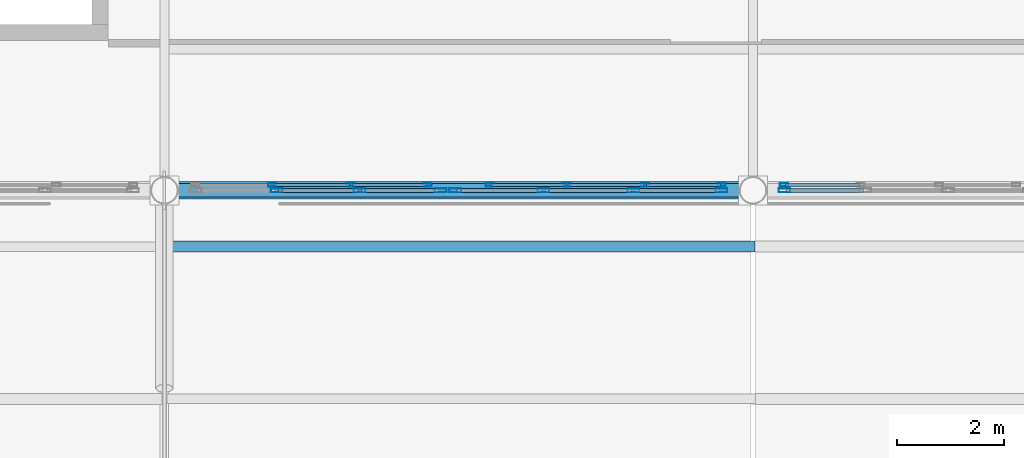
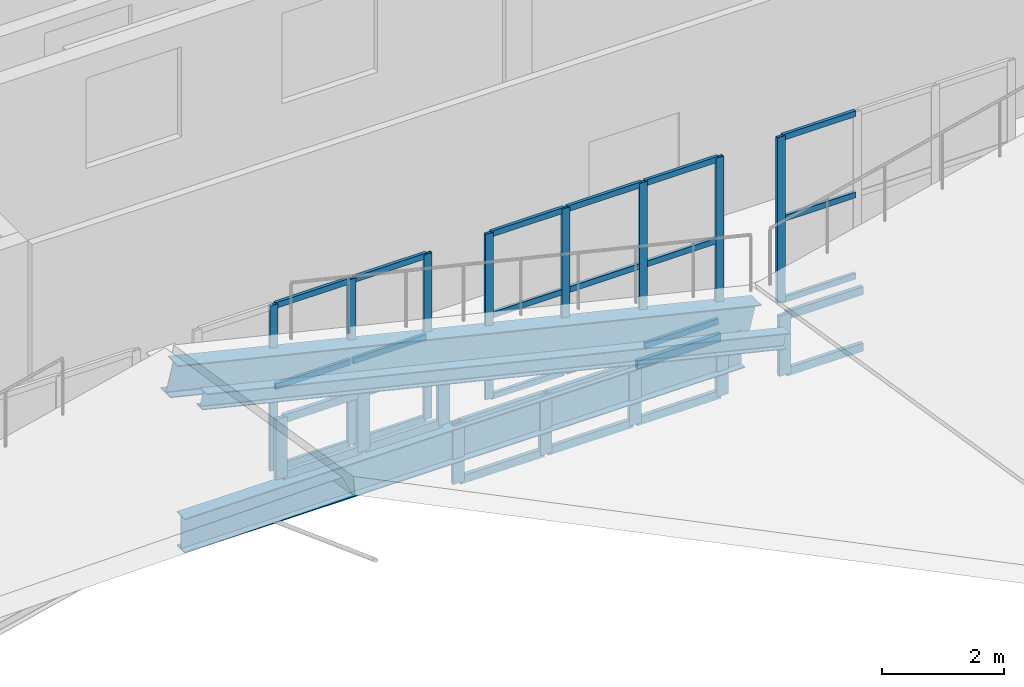
# One storey, part 26 of 120: 47 members, 2 beams, 6 elements without a shape of their own.
"""IFC4 building model written with IfcOpenShell, lengths in metres."""

from ifc_helpers import new_model, si_unit, direction, frame, origin, origin_2d, place, context, subcontext, project, spatial, hollow_rectangle, i_section, extrude, material, material_profile, profile_set, type_object, element, aggregate, save


model = new_model("IFC4")

# Units and contexts
model_context = context("Model", 3, precision=1e-05, world=origin(), true_north=direction((0.0, 1.0)))
body_context = subcontext(model_context, "Body", "Model", "MODEL_VIEW")
ifc_project = project(units=[si_unit("LENGTHUNIT", "METRE"), si_unit("AREAUNIT", "SQUARE_METRE"), si_unit("VOLUMEUNIT", "CUBIC_METRE"), si_unit("PLANEANGLEUNIT", "RADIAN"), si_unit("MASSUNIT", "GRAM", prefix="KILO")], contexts=[model_context])

# Site, building, storey
site_placement = place(None, origin())
site = spatial("IfcSite", under=ifc_project, at=site_placement, CompositionType="ELEMENT")
building_placement = place(site_placement, origin())
building = spatial("IfcBuilding", under=site, at=building_placement, Name="Caurita Quay Ferry Terminal", CompositionType="ELEMENT")
storey_placement = place(building_placement, frame((0.0, 0.0, 9.89990234375)))
storey = spatial("IfcBuildingStorey", under=building, at=storey_placement, Name="L02", CompositionType="ELEMENT", Elevation=9.89990234375)

# Beams
ifc_material_1 = material(Name="Structural steel ASTM A992 Gr. 50", Category="steel")
ifc_material_profile_1 = material_profile(ifc_material_1, i_section(OverallWidth=0.3251953125, OverallDepth=0.612060546875, WebThickness=0.0126953125, FlangeThickness=0.01904296875, FilletRadius=0.01513671875, at=origin_2d()), Name="W24X104")
ifc_profile_set_1 = profile_set([ifc_material_profile_1], Name="Structural steel ASTM A992 Gr. 50")
beam_type_1 = type_object("IfcBeamType", Name="BM-GR-W24A", PredefinedType="BEAM", material=ifc_profile_set_1)
beam_1_placement = place(storey_placement, frame((33.0, 62.699951171875, 2.610107421875), z_axis=(0.972389456854, 0.0, -0.233363973654), x_axis=(0.0, 1.0, 0.0)))
element("IfcBeam", 1, at=beam_1_placement, inside=storey, type_object=beam_type_1, Name="Folded Roof Gable Ring Girder V1-N-33", PredefinedType="BEAM", context=body_context, shape_type="SweptSolid", body=[
    extrude(i_section(OverallWidth=0.3251953125, OverallDepth=0.612060546875, WebThickness=0.0126953125, FlangeThickness=0.01904296875, FilletRadius=0.01513671875, at=origin_2d()), origin(), (0.0, 0.0, 1.0), 11.312255859375),
])
ifc_material_profile_2 = material_profile(ifc_material_1, i_section(OverallWidth=0.25390625, OverallDepth=0.68310546875, WebThickness=0.012451171875, FlangeThickness=0.018798828125, at=origin_2d()), Name="W27X94")
ifc_profile_set_2 = profile_set([ifc_material_profile_2], Name="Structural steel ASTM A992 Gr. 50")
beam_type_2 = type_object("IfcBeamType", Name="BM-GR-W27B", PredefinedType="BEAM", material=ifc_profile_set_2)
beam_2_placement = place(storey_placement, frame((33.2158203125, 62.699951171875, -0.5615234375), z_axis=(1.0, 0.0, 0.0), x_axis=(0.0, 1.0, 0.0)))
element("IfcBeam", 2, at=beam_2_placement, inside=storey, type_object=beam_type_2, Name="L02 Beam BM-V1-L02-X-332-627", PredefinedType="BEAM", context=body_context, shape_type="SweptSolid", body=[
    extrude(i_section(OverallWidth=0.25390625, OverallDepth=0.68310546875, WebThickness=0.012451171875, FlangeThickness=0.018798828125, at=origin_2d()), origin(), (0.0, 0.0, 1.0), 10.568359375),
])

# Curtain wall, members
ifc_material_2 = material(Name="Laminated solar-control insulated glass", Category="glass")
curtain_wall_type_1 = type_object("IfcCurtainWallType", Name="CW-SYS-13", PredefinedType="NOTDEFINED", material=ifc_material_2)
curtain_wall_1_placement = place(storey_placement, origin())
curtain_wall_1 = element("IfcCurtainWall", 3, at=curtain_wall_1_placement, inside=storey, type_object=curtain_wall_type_1, Name="Mezzanine Hall Overlook Glazing 095", PredefinedType="NOTDEFINED")
ifc_material_3 = material(Name="Anodized aluminium 6063-T6", Category="aluminium")
ifc_material_profile_3 = material_profile(ifc_material_3, hollow_rectangle(XDim=0.06005859375, YDim=0.14990234375, WallThickness=0.00341796875, at=origin_2d()), Name="ALU-MUL-60X150")
ifc_profile_set_3 = profile_set([ifc_material_profile_3], Name="Anodized aluminium 6063-T6")
member_type_1 = type_object("IfcMemberType", Name="CW-MUL-150", PredefinedType="MULLION", material=ifc_profile_set_3)
member_1_placement = place(storey_placement, frame((35.0166015625, 62.800048828125, 0.0), z_axis=(0.0, 0.0, 1.0), x_axis=(0.0, 1.0, 0.0)))
member_1 = element("IfcMember", 4, at=member_1_placement, type_object=member_type_1, Name="CW-MZL-095 Mullion 2", PredefinedType="MULLION", context=body_context, shape_type="SweptSolid", body=[
    extrude(hollow_rectangle(XDim=0.06005859375, YDim=0.14990234375, WallThickness=0.00341796875, at=origin_2d()), origin(), (0.0, 0.0, 1.0), 3.300048828125),
])
member_2_placement = place(storey_placement, frame((36.4833984375, 62.800048828125, 0.0), z_axis=(0.0, 0.0, 1.0), x_axis=(0.0, 1.0, 0.0)))
member_2 = element("IfcMember", 5, at=member_2_placement, type_object=member_type_1, Name="CW-MZL-095 Mullion 3", PredefinedType="MULLION", context=body_context, shape_type="SweptSolid", body=[
    extrude(hollow_rectangle(XDim=0.06005859375, YDim=0.14990234375, WallThickness=0.00341796875, at=origin_2d()), origin(), (0.0, 0.0, 1.0), 3.300048828125),
])
member_3_placement = place(storey_placement, frame((37.919921875, 62.800048828125, 0.0), z_axis=(0.0, 0.0, 1.0), x_axis=(0.0, 1.0, 0.0)))
member_3 = element("IfcMember", 6, at=member_3_placement, type_object=member_type_1, Name="CW-MZL-095 Mullion 4", PredefinedType="MULLION", context=body_context, shape_type="SweptSolid", body=[
    extrude(hollow_rectangle(XDim=0.06005859375, YDim=0.14990234375, WallThickness=0.00341796875, at=origin_2d()), origin(), (0.0, 0.0, 1.0), 3.300048828125),
])

curtain_wall_2_placement = place(storey_placement, origin())
curtain_wall_2 = element("IfcCurtainWall", 7, at=curtain_wall_2_placement, inside=storey, type_object=curtain_wall_type_1, Name="Mezzanine Hall Overlook Glazing 096", PredefinedType="NOTDEFINED")
member_4_placement = place(storey_placement, frame((39.080078125, 62.800048828125, 0.0), z_axis=(0.0, 0.0, 1.0), x_axis=(0.0, 1.0, 0.0)))
member_4 = element("IfcMember", 8, at=member_4_placement, type_object=member_type_1, Name="CW-MZL-096 Mullion 1", PredefinedType="MULLION", context=body_context, shape_type="SweptSolid", body=[
    extrude(hollow_rectangle(XDim=0.06005859375, YDim=0.14990234375, WallThickness=0.00341796875, at=origin_2d()), origin(), (0.0, 0.0, 1.0), 3.300048828125),
])
member_5_placement = place(storey_placement, frame((40.5166015625, 62.800048828125, 0.0), z_axis=(0.0, 0.0, 1.0), x_axis=(0.0, 1.0, 0.0)))
member_5 = element("IfcMember", 9, at=member_5_placement, type_object=member_type_1, Name="CW-MZL-096 Mullion 2", PredefinedType="MULLION", context=body_context, shape_type="SweptSolid", body=[
    extrude(hollow_rectangle(XDim=0.06005859375, YDim=0.14990234375, WallThickness=0.00341796875, at=origin_2d()), origin(), (0.0, 0.0, 1.0), 3.300048828125),
])
member_6_placement = place(storey_placement, frame((41.9833984375, 62.800048828125, 0.0), z_axis=(0.0, 0.0, 1.0), x_axis=(0.0, 1.0, 0.0)))
member_6 = element("IfcMember", 10, at=member_6_placement, type_object=member_type_1, Name="CW-MZL-096 Mullion 3", PredefinedType="MULLION", context=body_context, shape_type="SweptSolid", body=[
    extrude(hollow_rectangle(XDim=0.06005859375, YDim=0.14990234375, WallThickness=0.00341796875, at=origin_2d()), origin(), (0.0, 0.0, 1.0), 3.300048828125),
])
member_7_placement = place(storey_placement, frame((43.419921875, 62.800048828125, 0.0), z_axis=(0.0, 0.0, 1.0), x_axis=(0.0, 1.0, 0.0)))
member_7 = element("IfcMember", 11, at=member_7_placement, type_object=member_type_1, Name="CW-MZL-096 Mullion 4", PredefinedType="MULLION", context=body_context, shape_type="SweptSolid", body=[
    extrude(hollow_rectangle(XDim=0.06005859375, YDim=0.14990234375, WallThickness=0.00341796875, at=origin_2d()), origin(), (0.0, 0.0, 1.0), 3.300048828125),
])

# Curtain wall, member
curtain_wall_3_placement = place(storey_placement, origin())
curtain_wall_3 = element("IfcCurtainWall", 12, at=curtain_wall_3_placement, inside=storey, type_object=curtain_wall_type_1, Name="Mezzanine Hall Overlook Glazing 097", PredefinedType="NOTDEFINED")
member_8_placement = place(storey_placement, frame((44.580078125, 62.800048828125, 0.0), z_axis=(0.0, 0.0, 1.0), x_axis=(0.0, 1.0, 0.0)))
member_8 = element("IfcMember", 13, at=member_8_placement, type_object=member_type_1, Name="CW-MZL-097 Mullion 1", PredefinedType="MULLION", context=body_context, shape_type="SweptSolid", body=[
    extrude(hollow_rectangle(XDim=0.06005859375, YDim=0.14990234375, WallThickness=0.00341796875, at=origin_2d()), origin(), (0.0, 0.0, 1.0), 3.300048828125),
])

# Curtain wall, members
curtain_wall_type_2 = type_object("IfcCurtainWallType", Name="CW-SYS-05", PredefinedType="NOTDEFINED", material=ifc_material_2)
curtain_wall_4_placement = place(storey_placement, origin())
curtain_wall_4 = element("IfcCurtainWall", 14, at=curtain_wall_4_placement, inside=storey, type_object=curtain_wall_type_2, Name="Folded Roof Clerestory FB-02-N3", PredefinedType="NOTDEFINED")
ifc_material_profile_4 = material_profile(ifc_material_3, hollow_rectangle(XDim=0.074951171875, YDim=0.219970703125, WallThickness=0.00390625, at=origin_2d()), Name="ALU-MUL-75X220")
ifc_profile_set_4 = profile_set([ifc_material_profile_4], Name="Anodized aluminium 6063-T6")
member_type_2 = type_object("IfcMemberType", Name="CW-MUL-220", PredefinedType="MULLION", material=ifc_profile_set_4)
member_9_placement = place(storey_placement, frame((35.10009765625, 62.699951171875, -0.122802734375), z_axis=(0.0, 0.0, 1.0), x_axis=(0.0, 1.0, 0.0)))
member_9 = element("IfcMember", 15, at=member_9_placement, type_object=member_type_2, Name="CW-CLR-015 Mullion 2", PredefinedType="MULLION", context=body_context, shape_type="SweptSolid", body=[
    extrude(hollow_rectangle(XDim=0.074951171875, YDim=0.219970703125, WallThickness=0.00390625, at=origin_2d()), origin(), (0.0, 0.0, 1.0), 1.199951171875),
])
member_10_placement = place(storey_placement, frame((36.64990234375, 62.699951171875, -0.122802734375), z_axis=(0.0, 0.0, 1.0), x_axis=(0.0, 1.0, 0.0)))
member_10 = element("IfcMember", 16, at=member_10_placement, type_object=member_type_2, Name="CW-CLR-015 Mullion 3", PredefinedType="MULLION", context=body_context, shape_type="SweptSolid", body=[
    extrude(hollow_rectangle(XDim=0.074951171875, YDim=0.219970703125, WallThickness=0.00390625, at=origin_2d()), origin(), (0.0, 0.0, 1.0), 1.199951171875),
])
member_11_placement = place(storey_placement, frame((38.16259765625, 62.699951171875, -0.122802734375), z_axis=(0.0, 0.0, 1.0), x_axis=(0.0, 1.0, 0.0)))
member_11 = element("IfcMember", 17, at=member_11_placement, type_object=member_type_2, Name="CW-CLR-015 Mullion 4", PredefinedType="MULLION", context=body_context, shape_type="SweptSolid", body=[
    extrude(hollow_rectangle(XDim=0.074951171875, YDim=0.219970703125, WallThickness=0.00390625, at=origin_2d()), origin(), (0.0, 0.0, 1.0), 1.199951171875),
])

curtain_wall_type_3 = type_object("IfcCurtainWallType", Name="CW-SYS-06", PredefinedType="NOTDEFINED", material=ifc_material_2)
curtain_wall_5_placement = place(storey_placement, origin())
curtain_wall_5 = element("IfcCurtainWall", 18, at=curtain_wall_5_placement, inside=storey, type_object=curtain_wall_type_3, Name="Folded Roof Clerestory FB-02-N4", PredefinedType="NOTDEFINED")
member_12_placement = place(storey_placement, frame((38.4375, 62.699951171875, -1.3828125), z_axis=(0.0, 0.0, 1.0), x_axis=(0.0, 1.0, 0.0)))
member_12 = element("IfcMember", 19, at=member_12_placement, type_object=member_type_2, Name="CW-CLR-016 Mullion 1", PredefinedType="MULLION", context=body_context, shape_type="SweptSolid", body=[
    extrude(hollow_rectangle(XDim=0.074951171875, YDim=0.219970703125, WallThickness=0.00390625, at=origin_2d()), origin(), (0.0, 0.0, 1.0), 1.199951171875),
])
member_13_placement = place(storey_placement, frame((40.083251953125, 62.699951171875, -1.3828125), z_axis=(0.0, 0.0, 1.0), x_axis=(0.0, 1.0, 0.0)))
member_13 = element("IfcMember", 20, at=member_13_placement, type_object=member_type_2, Name="CW-CLR-016 Mullion 2", PredefinedType="MULLION", context=body_context, shape_type="SweptSolid", body=[
    extrude(hollow_rectangle(XDim=0.074951171875, YDim=0.219970703125, WallThickness=0.00390625, at=origin_2d()), origin(), (0.0, 0.0, 1.0), 1.199951171875),
])
member_14_placement = place(storey_placement, frame((41.7666015625, 62.699951171875, -1.3828125), z_axis=(0.0, 0.0, 1.0), x_axis=(0.0, 1.0, 0.0)))
member_14 = element("IfcMember", 21, at=member_14_placement, type_object=member_type_2, Name="CW-CLR-016 Mullion 3", PredefinedType="MULLION", context=body_context, shape_type="SweptSolid", body=[
    extrude(hollow_rectangle(XDim=0.074951171875, YDim=0.219970703125, WallThickness=0.00390625, at=origin_2d()), origin(), (0.0, 0.0, 1.0), 1.199951171875),
])
member_15_placement = place(storey_placement, frame((43.41259765625, 62.699951171875, -1.3828125), z_axis=(0.0, 0.0, 1.0), x_axis=(0.0, 1.0, 0.0)))
member_15 = element("IfcMember", 22, at=member_15_placement, type_object=member_type_2, Name="CW-CLR-016 Mullion 4", PredefinedType="MULLION", context=body_context, shape_type="SweptSolid", body=[
    extrude(hollow_rectangle(XDim=0.074951171875, YDim=0.219970703125, WallThickness=0.00390625, at=origin_2d()), origin(), (0.0, 0.0, 1.0), 1.199951171875),
])

# Curtain wall, member
curtain_wall_6_placement = place(storey_placement, origin())
curtain_wall_6 = element("IfcCurtainWall", 23, at=curtain_wall_6_placement, inside=storey, type_object=curtain_wall_type_2, Name="Folded Roof Clerestory FB-03-N1", PredefinedType="NOTDEFINED")
member_16_placement = place(storey_placement, frame((44.58740234375, 62.699951171875, -1.3828125), z_axis=(0.0, 0.0, 1.0), x_axis=(0.0, 1.0, 0.0)))
member_16 = element("IfcMember", 24, at=member_16_placement, type_object=member_type_2, Name="CW-CLR-021 Mullion 1", PredefinedType="MULLION", context=body_context, shape_type="SweptSolid", body=[
    extrude(hollow_rectangle(XDim=0.074951171875, YDim=0.219970703125, WallThickness=0.00390625, at=origin_2d()), origin(), (0.0, 0.0, 1.0), 1.199951171875),
])

# Member
ifc_material_profile_5 = material_profile(ifc_material_3, hollow_rectangle(XDim=0.06005859375, YDim=0.114990234375, WallThickness=0.00341796875, at=origin_2d()), Name="ALU-TRN-60X115")
ifc_profile_set_5 = profile_set([ifc_material_profile_5], Name="Anodized aluminium 6063-T6")
member_type_3 = type_object("IfcMemberType", Name="CW-TRN-115", PredefinedType="USERDEFINED", material=ifc_profile_set_5)
member_17_placement = place(storey_placement, frame((35.044677734375, 62.800048828125, 0.030029296875), z_axis=(1.0, 0.0, 0.0), x_axis=(0.0, 1.0, 0.0)))
member_17 = element("IfcMember", 25, at=member_17_placement, type_object=member_type_3, Name="CW-MZL-095 Transom 4", ObjectType="TRANSOM", PredefinedType="USERDEFINED", context=body_context, shape_type="SweptSolid", body=[
    extrude(hollow_rectangle(XDim=0.06005859375, YDim=0.114990234375, WallThickness=0.00341796875, at=origin_2d()), origin(), (0.0, 0.0, 1.0), 1.41064453125),
])

member_18_placement = place(storey_placement, frame((35.044677734375, 62.800048828125, 1.650146484375), z_axis=(1.0, 0.0, 0.0), x_axis=(0.0, 1.0, 0.0)))
member_18 = element("IfcMember", 26, at=member_18_placement, type_object=member_type_3, Name="CW-MZL-095 Transom 5", ObjectType="TRANSOM", PredefinedType="USERDEFINED", context=body_context, shape_type="SweptSolid", body=[
    extrude(hollow_rectangle(XDim=0.06005859375, YDim=0.114990234375, WallThickness=0.00341796875, at=origin_2d()), origin(), (0.0, 0.0, 1.0), 1.41064453125),
])

member_19_placement = place(storey_placement, frame((35.044677734375, 62.800048828125, 3.27001953125), z_axis=(1.0, 0.0, 0.0), x_axis=(0.0, 1.0, 0.0)))
member_19 = element("IfcMember", 27, at=member_19_placement, type_object=member_type_3, Name="CW-MZL-095 Transom 6", ObjectType="TRANSOM", PredefinedType="USERDEFINED", context=body_context, shape_type="SweptSolid", body=[
    extrude(hollow_rectangle(XDim=0.06005859375, YDim=0.114990234375, WallThickness=0.00341796875, at=origin_2d()), origin(), (0.0, 0.0, 1.0), 1.41064453125),
])

member_20_placement = place(storey_placement, frame((36.51123046875, 62.800048828125, 0.030029296875), z_axis=(1.0, 0.0, 0.0), x_axis=(0.0, 1.0, 0.0)))
member_20 = element("IfcMember", 28, at=member_20_placement, type_object=member_type_3, Name="CW-MZL-095 Transom 7", ObjectType="TRANSOM", PredefinedType="USERDEFINED", context=body_context, shape_type="SweptSolid", body=[
    extrude(hollow_rectangle(XDim=0.06005859375, YDim=0.114990234375, WallThickness=0.00341796875, at=origin_2d()), origin(), (0.0, 0.0, 1.0), 1.380859375),
])

member_21_placement = place(storey_placement, frame((36.51123046875, 62.800048828125, 1.650146484375), z_axis=(1.0, 0.0, 0.0), x_axis=(0.0, 1.0, 0.0)))
member_21 = element("IfcMember", 29, at=member_21_placement, type_object=member_type_3, Name="CW-MZL-095 Transom 8", ObjectType="TRANSOM", PredefinedType="USERDEFINED", context=body_context, shape_type="SweptSolid", body=[
    extrude(hollow_rectangle(XDim=0.06005859375, YDim=0.114990234375, WallThickness=0.00341796875, at=origin_2d()), origin(), (0.0, 0.0, 1.0), 1.380859375),
])

member_22_placement = place(storey_placement, frame((36.51123046875, 62.800048828125, 3.27001953125), z_axis=(1.0, 0.0, 0.0), x_axis=(0.0, 1.0, 0.0)))
member_22 = element("IfcMember", 30, at=member_22_placement, type_object=member_type_3, Name="CW-MZL-095 Transom 9", ObjectType="TRANSOM", PredefinedType="USERDEFINED", context=body_context, shape_type="SweptSolid", body=[
    extrude(hollow_rectangle(XDim=0.06005859375, YDim=0.114990234375, WallThickness=0.00341796875, at=origin_2d()), origin(), (0.0, 0.0, 1.0), 1.380859375),
])

aggregate(curtain_wall_1, [member_1, member_2, member_3, member_17, member_18, member_19, member_20, member_21, member_22])

member_23_placement = place(storey_placement, frame((39.10791015625, 62.800048828125, 0.030029296875), z_axis=(1.0, 0.0, 0.0), x_axis=(0.0, 1.0, 0.0)))
member_23 = element("IfcMember", 31, at=member_23_placement, type_object=member_type_3, Name="CW-MZL-096 Transom 1", ObjectType="TRANSOM", PredefinedType="USERDEFINED", context=body_context, shape_type="SweptSolid", body=[
    extrude(hollow_rectangle(XDim=0.06005859375, YDim=0.114990234375, WallThickness=0.00341796875, at=origin_2d()), origin(), (0.0, 0.0, 1.0), 1.380859375),
])

member_24_placement = place(storey_placement, frame((39.10791015625, 62.800048828125, 1.650146484375), z_axis=(1.0, 0.0, 0.0), x_axis=(0.0, 1.0, 0.0)))
member_24 = element("IfcMember", 32, at=member_24_placement, type_object=member_type_3, Name="CW-MZL-096 Transom 2", ObjectType="TRANSOM", PredefinedType="USERDEFINED", context=body_context, shape_type="SweptSolid", body=[
    extrude(hollow_rectangle(XDim=0.06005859375, YDim=0.114990234375, WallThickness=0.00341796875, at=origin_2d()), origin(), (0.0, 0.0, 1.0), 1.380859375),
])

member_25_placement = place(storey_placement, frame((39.10791015625, 62.800048828125, 3.27001953125), z_axis=(1.0, 0.0, 0.0), x_axis=(0.0, 1.0, 0.0)))
member_25 = element("IfcMember", 33, at=member_25_placement, type_object=member_type_3, Name="CW-MZL-096 Transom 3", ObjectType="TRANSOM", PredefinedType="USERDEFINED", context=body_context, shape_type="SweptSolid", body=[
    extrude(hollow_rectangle(XDim=0.06005859375, YDim=0.114990234375, WallThickness=0.00341796875, at=origin_2d()), origin(), (0.0, 0.0, 1.0), 1.380859375),
])

member_26_placement = place(storey_placement, frame((40.544677734375, 62.800048828125, 0.030029296875), z_axis=(1.0, 0.0, 0.0), x_axis=(0.0, 1.0, 0.0)))
member_26 = element("IfcMember", 34, at=member_26_placement, type_object=member_type_3, Name="CW-MZL-096 Transom 4", ObjectType="TRANSOM", PredefinedType="USERDEFINED", context=body_context, shape_type="SweptSolid", body=[
    extrude(hollow_rectangle(XDim=0.06005859375, YDim=0.114990234375, WallThickness=0.00341796875, at=origin_2d()), origin(), (0.0, 0.0, 1.0), 1.41064453125),
])

member_27_placement = place(storey_placement, frame((40.544677734375, 62.800048828125, 1.650146484375), z_axis=(1.0, 0.0, 0.0), x_axis=(0.0, 1.0, 0.0)))
member_27 = element("IfcMember", 35, at=member_27_placement, type_object=member_type_3, Name="CW-MZL-096 Transom 5", ObjectType="TRANSOM", PredefinedType="USERDEFINED", context=body_context, shape_type="SweptSolid", body=[
    extrude(hollow_rectangle(XDim=0.06005859375, YDim=0.114990234375, WallThickness=0.00341796875, at=origin_2d()), origin(), (0.0, 0.0, 1.0), 1.41064453125),
])

member_28_placement = place(storey_placement, frame((40.544677734375, 62.800048828125, 3.27001953125), z_axis=(1.0, 0.0, 0.0), x_axis=(0.0, 1.0, 0.0)))
member_28 = element("IfcMember", 36, at=member_28_placement, type_object=member_type_3, Name="CW-MZL-096 Transom 6", ObjectType="TRANSOM", PredefinedType="USERDEFINED", context=body_context, shape_type="SweptSolid", body=[
    extrude(hollow_rectangle(XDim=0.06005859375, YDim=0.114990234375, WallThickness=0.00341796875, at=origin_2d()), origin(), (0.0, 0.0, 1.0), 1.41064453125),
])

member_29_placement = place(storey_placement, frame((42.01123046875, 62.800048828125, 0.030029296875), z_axis=(1.0, 0.0, 0.0), x_axis=(0.0, 1.0, 0.0)))
member_29 = element("IfcMember", 37, at=member_29_placement, type_object=member_type_3, Name="CW-MZL-096 Transom 7", ObjectType="TRANSOM", PredefinedType="USERDEFINED", context=body_context, shape_type="SweptSolid", body=[
    extrude(hollow_rectangle(XDim=0.06005859375, YDim=0.114990234375, WallThickness=0.00341796875, at=origin_2d()), origin(), (0.0, 0.0, 1.0), 1.380859375),
])

member_30_placement = place(storey_placement, frame((42.01123046875, 62.800048828125, 1.650146484375), z_axis=(1.0, 0.0, 0.0), x_axis=(0.0, 1.0, 0.0)))
member_30 = element("IfcMember", 38, at=member_30_placement, type_object=member_type_3, Name="CW-MZL-096 Transom 8", ObjectType="TRANSOM", PredefinedType="USERDEFINED", context=body_context, shape_type="SweptSolid", body=[
    extrude(hollow_rectangle(XDim=0.06005859375, YDim=0.114990234375, WallThickness=0.00341796875, at=origin_2d()), origin(), (0.0, 0.0, 1.0), 1.380859375),
])

member_31_placement = place(storey_placement, frame((42.01123046875, 62.800048828125, 3.27001953125), z_axis=(1.0, 0.0, 0.0), x_axis=(0.0, 1.0, 0.0)))
member_31 = element("IfcMember", 39, at=member_31_placement, type_object=member_type_3, Name="CW-MZL-096 Transom 9", ObjectType="TRANSOM", PredefinedType="USERDEFINED", context=body_context, shape_type="SweptSolid", body=[
    extrude(hollow_rectangle(XDim=0.06005859375, YDim=0.114990234375, WallThickness=0.00341796875, at=origin_2d()), origin(), (0.0, 0.0, 1.0), 1.380859375),
])

aggregate(curtain_wall_2, [member_4, member_5, member_6, member_7, member_23, member_24, member_25, member_26, member_27, member_28, member_29, member_30, member_31])

member_32_placement = place(storey_placement, frame((44.60791015625, 62.800048828125, 0.030029296875), z_axis=(1.0, 0.0, 0.0), x_axis=(0.0, 1.0, 0.0)))
member_32 = element("IfcMember", 40, at=member_32_placement, type_object=member_type_3, Name="CW-MZL-097 Transom 1", ObjectType="TRANSOM", PredefinedType="USERDEFINED", context=body_context, shape_type="SweptSolid", body=[
    extrude(hollow_rectangle(XDim=0.06005859375, YDim=0.114990234375, WallThickness=0.00341796875, at=origin_2d()), origin(), (0.0, 0.0, 1.0), 1.380859375),
])

member_33_placement = place(storey_placement, frame((44.60791015625, 62.800048828125, 1.650146484375), z_axis=(1.0, 0.0, 0.0), x_axis=(0.0, 1.0, 0.0)))
member_33 = element("IfcMember", 41, at=member_33_placement, type_object=member_type_3, Name="CW-MZL-097 Transom 2", ObjectType="TRANSOM", PredefinedType="USERDEFINED", context=body_context, shape_type="SweptSolid", body=[
    extrude(hollow_rectangle(XDim=0.06005859375, YDim=0.114990234375, WallThickness=0.00341796875, at=origin_2d()), origin(), (0.0, 0.0, 1.0), 1.380859375),
])

member_34_placement = place(storey_placement, frame((44.60791015625, 62.800048828125, 3.27001953125), z_axis=(1.0, 0.0, 0.0), x_axis=(0.0, 1.0, 0.0)))
member_34 = element("IfcMember", 42, at=member_34_placement, type_object=member_type_3, Name="CW-MZL-097 Transom 3", ObjectType="TRANSOM", PredefinedType="USERDEFINED", context=body_context, shape_type="SweptSolid", body=[
    extrude(hollow_rectangle(XDim=0.06005859375, YDim=0.114990234375, WallThickness=0.00341796875, at=origin_2d()), origin(), (0.0, 0.0, 1.0), 1.380859375),
])

aggregate(curtain_wall_3, [member_8, member_32, member_33, member_34])

ifc_material_profile_6 = material_profile(ifc_material_3, hollow_rectangle(XDim=0.074951171875, YDim=0.159912109375, WallThickness=0.00390625, at=origin_2d()), Name="ALU-TRN-75X160")
ifc_profile_set_6 = profile_set([ifc_material_profile_6], Name="Anodized aluminium 6063-T6")
member_type_4 = type_object("IfcMemberType", Name="CW-TRN-160", PredefinedType="USERDEFINED", material=ifc_profile_set_6)
member_35_placement = place(storey_placement, frame((35.135498046875, 62.699951171875, -0.08544921875), z_axis=(1.0, 0.0, 0.0), x_axis=(0.0, 1.0, 0.0)))
member_35 = element("IfcMember", 43, at=member_35_placement, type_object=member_type_4, Name="CW-CLR-015 Transom 3", ObjectType="TRANSOM", PredefinedType="USERDEFINED", context=body_context, shape_type="SweptSolid", body=[
    extrude(hollow_rectangle(XDim=0.074951171875, YDim=0.159912109375, WallThickness=0.00390625, at=origin_2d()), origin(), (0.0, 0.0, 1.0), 1.47900390625),
])

member_36_placement = place(storey_placement, frame((35.135498046875, 62.699951171875, 1.03955078125), z_axis=(1.0, 0.0, 0.0), x_axis=(0.0, 1.0, 0.0)))
member_36 = element("IfcMember", 44, at=member_36_placement, type_object=member_type_4, Name="CW-CLR-015 Transom 4", ObjectType="TRANSOM", PredefinedType="USERDEFINED", context=body_context, shape_type="SweptSolid", body=[
    extrude(hollow_rectangle(XDim=0.074951171875, YDim=0.159912109375, WallThickness=0.00390625, at=origin_2d()), origin(), (0.0, 0.0, 1.0), 1.47900390625),
])

member_37_placement = place(storey_placement, frame((36.685546875, 62.699951171875, -0.08544921875), z_axis=(1.0, 0.0, 0.0), x_axis=(0.0, 1.0, 0.0)))
member_37 = element("IfcMember", 45, at=member_37_placement, type_object=member_type_4, Name="CW-CLR-015 Transom 5", ObjectType="TRANSOM", PredefinedType="USERDEFINED", context=body_context, shape_type="SweptSolid", body=[
    extrude(hollow_rectangle(XDim=0.074951171875, YDim=0.159912109375, WallThickness=0.00390625, at=origin_2d()), origin(), (0.0, 0.0, 1.0), 1.44140625),
])

member_38_placement = place(storey_placement, frame((36.685546875, 62.699951171875, 1.03955078125), z_axis=(1.0, 0.0, 0.0), x_axis=(0.0, 1.0, 0.0)))
member_38 = element("IfcMember", 46, at=member_38_placement, type_object=member_type_4, Name="CW-CLR-015 Transom 6", ObjectType="TRANSOM", PredefinedType="USERDEFINED", context=body_context, shape_type="SweptSolid", body=[
    extrude(hollow_rectangle(XDim=0.074951171875, YDim=0.159912109375, WallThickness=0.00390625, at=origin_2d()), origin(), (0.0, 0.0, 1.0), 1.44140625),
])

aggregate(curtain_wall_4, [member_9, member_10, member_11, member_35, member_36, member_37, member_38])

member_39_placement = place(storey_placement, frame((38.472900390625, 62.699951171875, -1.345458984375), z_axis=(1.0, 0.0, 0.0), x_axis=(0.0, 1.0, 0.0)))
member_39 = element("IfcMember", 47, at=member_39_placement, type_object=member_type_4, Name="CW-CLR-016 Transom 1", ObjectType="TRANSOM", PredefinedType="USERDEFINED", context=body_context, shape_type="SweptSolid", body=[
    extrude(hollow_rectangle(XDim=0.074951171875, YDim=0.159912109375, WallThickness=0.00390625, at=origin_2d()), origin(), (0.0, 0.0, 1.0), 1.574951171875),
])

member_40_placement = place(storey_placement, frame((38.472900390625, 62.699951171875, -0.220458984375), z_axis=(1.0, 0.0, 0.0), x_axis=(0.0, 1.0, 0.0)))
member_40 = element("IfcMember", 48, at=member_40_placement, type_object=member_type_4, Name="CW-CLR-016 Transom 2", ObjectType="TRANSOM", PredefinedType="USERDEFINED", context=body_context, shape_type="SweptSolid", body=[
    extrude(hollow_rectangle(XDim=0.074951171875, YDim=0.159912109375, WallThickness=0.00390625, at=origin_2d()), origin(), (0.0, 0.0, 1.0), 1.574951171875),
])

member_41_placement = place(storey_placement, frame((40.118896484375, 62.699951171875, -1.345458984375), z_axis=(1.0, 0.0, 0.0), x_axis=(0.0, 1.0, 0.0)))
member_41 = element("IfcMember", 49, at=member_41_placement, type_object=member_type_4, Name="CW-CLR-016 Transom 3", ObjectType="TRANSOM", PredefinedType="USERDEFINED", context=body_context, shape_type="SweptSolid", body=[
    extrude(hollow_rectangle(XDim=0.074951171875, YDim=0.159912109375, WallThickness=0.00390625, at=origin_2d()), origin(), (0.0, 0.0, 1.0), 1.6123046875),
])

member_42_placement = place(storey_placement, frame((40.118896484375, 62.699951171875, -0.220458984375), z_axis=(1.0, 0.0, 0.0), x_axis=(0.0, 1.0, 0.0)))
member_42 = element("IfcMember", 50, at=member_42_placement, type_object=member_type_4, Name="CW-CLR-016 Transom 4", ObjectType="TRANSOM", PredefinedType="USERDEFINED", context=body_context, shape_type="SweptSolid", body=[
    extrude(hollow_rectangle(XDim=0.074951171875, YDim=0.159912109375, WallThickness=0.00390625, at=origin_2d()), origin(), (0.0, 0.0, 1.0), 1.6123046875),
])

member_43_placement = place(storey_placement, frame((41.80224609375, 62.699951171875, -1.345458984375), z_axis=(1.0, 0.0, 0.0), x_axis=(0.0, 1.0, 0.0)))
member_43 = element("IfcMember", 51, at=member_43_placement, type_object=member_type_4, Name="CW-CLR-016 Transom 5", ObjectType="TRANSOM", PredefinedType="USERDEFINED", context=body_context, shape_type="SweptSolid", body=[
    extrude(hollow_rectangle(XDim=0.074951171875, YDim=0.159912109375, WallThickness=0.00390625, at=origin_2d()), origin(), (0.0, 0.0, 1.0), 1.57470703125),
])

member_44_placement = place(storey_placement, frame((41.80224609375, 62.699951171875, -0.220458984375), z_axis=(1.0, 0.0, 0.0), x_axis=(0.0, 1.0, 0.0)))
member_44 = element("IfcMember", 52, at=member_44_placement, type_object=member_type_4, Name="CW-CLR-016 Transom 6", ObjectType="TRANSOM", PredefinedType="USERDEFINED", context=body_context, shape_type="SweptSolid", body=[
    extrude(hollow_rectangle(XDim=0.074951171875, YDim=0.159912109375, WallThickness=0.00390625, at=origin_2d()), origin(), (0.0, 0.0, 1.0), 1.57470703125),
])

aggregate(curtain_wall_5, [member_12, member_13, member_14, member_15, member_39, member_40, member_41, member_42, member_43, member_44])

member_45_placement = place(storey_placement, frame((44.623046875, 62.699951171875, -1.345458984375), z_axis=(1.0, 0.0, 0.0), x_axis=(0.0, 1.0, 0.0)))
member_45 = element("IfcMember", 53, at=member_45_placement, type_object=member_type_4, Name="CW-CLR-021 Transom 1", ObjectType="TRANSOM", PredefinedType="USERDEFINED", context=body_context, shape_type="SweptSolid", body=[
    extrude(hollow_rectangle(XDim=0.074951171875, YDim=0.159912109375, WallThickness=0.00390625, at=origin_2d()), origin(), (0.0, 0.0, 1.0), 1.44140625),
])

member_46_placement = place(storey_placement, frame((44.623046875, 62.699951171875, -0.220458984375), z_axis=(1.0, 0.0, 0.0), x_axis=(0.0, 1.0, 0.0)))
member_46 = element("IfcMember", 54, at=member_46_placement, type_object=member_type_4, Name="CW-CLR-021 Transom 2", ObjectType="TRANSOM", PredefinedType="USERDEFINED", context=body_context, shape_type="SweptSolid", body=[
    extrude(hollow_rectangle(XDim=0.074951171875, YDim=0.159912109375, WallThickness=0.00390625, at=origin_2d()), origin(), (0.0, 0.0, 1.0), 1.44140625),
])

aggregate(curtain_wall_6, [member_16, member_45, member_46])

ifc_material_profile_7 = material_profile(ifc_material_1, i_section(OverallWidth=0.20458984375, OverallDepth=0.307373046875, WebThickness=0.008544921875, FlangeThickness=0.0146484375, FilletRadius=0.0126953125, at=origin_2d()), Name="W12X45")
ifc_profile_set_7 = profile_set([ifc_material_profile_7], Name="Structural steel ASTM A992 Gr. 50")
member_type_5 = type_object("IfcMemberType", Name="MEM-PUR-12", PredefinedType="PURLIN", material=ifc_profile_set_7)
member_47_placement = place(storey_placement, frame((33.0, 61.64990234375, 2.80810546875), z_axis=(0.972389456854, 0.0, -0.233363973654), x_axis=(0.0, 1.0, 0.0)))
element("IfcMember", 55, at=member_47_placement, inside=storey, type_object=member_type_5, Name="Folded Roof Purlin PUR-040", PredefinedType="PURLIN", context=body_context, shape_type="SweptSolid", body=[
    extrude(i_section(OverallWidth=0.20458984375, OverallDepth=0.307373046875, WebThickness=0.008544921875, FlangeThickness=0.0146484375, FilletRadius=0.0126953125, at=origin_2d()), origin(), (0.0, 0.0, 1.0), 11.312255859375),
])

save(model, "model.ifc")
